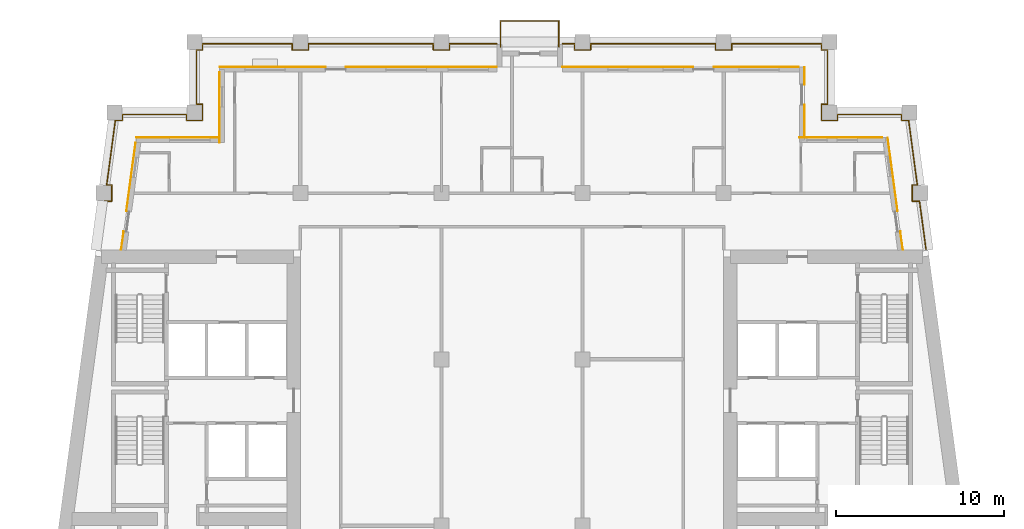
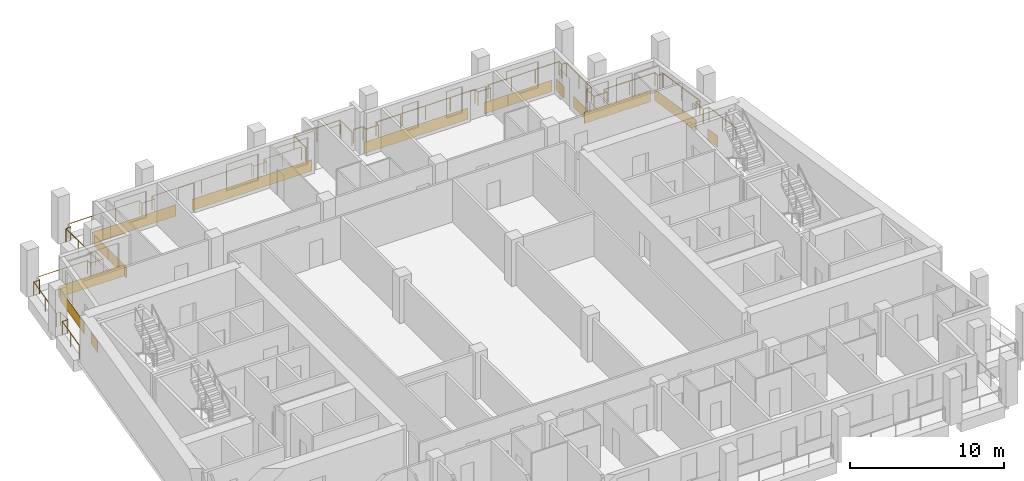
# One storey, part 12 of 13: 15 coverings, 3 railings.
"""IFC4 building model written with IfcOpenShell, lengths in metres."""

from ifc_helpers import new_model, si_unit, direction, frame, origin, origin_2d, place, context, subcontext, project, spatial, rectangle, circle, extrude, material, layer, layer_set, type_object, element, save


model = new_model("IFC4")

# Units and contexts
model_context = context("Model", 3, precision=1e-05, world=origin(), true_north=direction((0.0, 1.0)))
body_context = subcontext(model_context, "Body", "Model", "MODEL_VIEW")
ifc_project = project(units=[si_unit("LENGTHUNIT", "METRE"), si_unit("AREAUNIT", "SQUARE_METRE"), si_unit("VOLUMEUNIT", "CUBIC_METRE"), si_unit("PLANEANGLEUNIT", "RADIAN"), si_unit("MASSUNIT", "GRAM", prefix="KILO")], contexts=[model_context])

# Site, building, storey
site_placement = place(None, origin())
site = spatial("IfcSite", under=ifc_project, at=site_placement, CompositionType="ELEMENT")
building_placement = place(site_placement, origin())
building = spatial("IfcBuilding", under=site, at=building_placement, Name="Candeia Pilgrim Tower and Theatre", CompositionType="ELEMENT")
storey_placement = place(building_placement, frame((0.0, 0.0, 220.699951171875)))
storey = spatial("IfcBuildingStorey", under=building, at=storey_placement, Name="L53", CompositionType="ELEMENT", Elevation=220.699951171875)

# Railings
ifc_material_1 = material(Name="Stainless steel balustrade", Category="steel")
railing_type = type_object("IfcRailingType", Name="G1 loggia guard 1100", PredefinedType="GUARDRAIL", material=ifc_material_1)
railing_1_placement = place(storey_placement, frame((88.758544921875, 132.449951171875, 0.0)))
element("IfcRailing", 1, at=railing_1_placement, inside=storey, type_object=railing_type, Name="Guard L53.2", PredefinedType="GUARDRAIL", context=body_context, shape_type="SweptSolid", body=[
    extrude(circle(Radius=0.02392578125, at=origin_2d()), frame((0.0, 0.0, 1.076171875), z_axis=(0.133450228179, 0.991055516406, 0.0), x_axis=(-0.991055516406, 0.133450228179, 0.0)), (0.0, 0.0, 1.0), 2.89599609375),
    extrude(circle(Radius=0.02392578125, at=origin_2d()), frame((0.386474609375, 2.8701171875, 1.076171875), z_axis=(1.0, 0.0, 0.0), x_axis=(0.0, 1.0, 0.0)), (0.0, 0.0, 1.0), 0.42333984375),
    extrude(circle(Radius=0.02392578125, at=origin_2d()), frame((0.809814453125, 2.8701171875, 1.076171875), z_axis=(0.0, 1.0, 0.0), x_axis=(-1.0, 0.0, 0.0)), (0.0, 0.0, 1.0), 0.9599609375),
    extrude(circle(Radius=0.02392578125, at=origin_2d()), frame((0.809814453125, 3.830078125, 1.076171875), z_axis=(-1.0, 0.0, 0.0), x_axis=(0.0, -1.0, 0.0)), (0.0, 0.0, 1.0), 0.294189453125),
    extrude(circle(Radius=0.02392578125, at=origin_2d()), frame((0.515625, 3.830078125, 1.076171875), z_axis=(0.133389399471, 0.991063705374, 0.0), x_axis=(-0.991063705374, 0.133389399471, 0.0)), (0.0, 0.0, 1.0), 3.874755859375),
    extrude(circle(Radius=0.02392578125, at=origin_2d()), frame((1.032470703125, 7.670166015625, 1.076171875), z_axis=(1.0, 0.0, 0.0), x_axis=(0.0, 1.0, 0.0)), (0.0, 0.0, 1.0), 0.423583984375),
    extrude(circle(Radius=0.02392578125, at=origin_2d()), frame((1.4560546875, 7.670166015625, 1.076171875), z_axis=(0.0, 1.0, 0.0), x_axis=(-1.0, 0.0, 0.0)), (0.0, 0.0, 1.0), 0.35986328125),
    extrude(circle(Radius=0.02392578125, at=origin_2d()), frame((1.4560546875, 8.030029296875, 1.076171875), z_axis=(1.0, 0.0, 0.0), x_axis=(0.0, 1.0, 0.0)), (0.0, 0.0, 1.0), 3.805419921875),
    extrude(circle(Radius=0.02392578125, at=origin_2d()), frame((5.261474609375, 8.030029296875, 1.076171875), z_axis=(0.0, -1.0, 0.0), x_axis=(1.0, 0.0, 0.0)), (0.0, 0.0, 1.0), 0.35986328125),
    extrude(circle(Radius=0.02392578125, at=origin_2d()), frame((5.261474609375, 7.670166015625, 1.076171875), z_axis=(1.0, 0.0, 0.0), x_axis=(0.0, 1.0, 0.0)), (0.0, 0.0, 1.0), 0.9599609375),
    extrude(circle(Radius=0.02392578125, at=origin_2d()), frame((6.221435546875, 7.670166015625, 1.076171875), z_axis=(0.0, 1.0, 0.0), x_axis=(-1.0, 0.0, 0.0)), (0.0, 0.0, 1.0), 0.9599609375),
    extrude(circle(Radius=0.02392578125, at=origin_2d()), frame((6.221435546875, 8.630126953125, 1.076171875), z_axis=(-1.0, 0.0, 0.0), x_axis=(0.0, -1.0, 0.0)), (0.0, 0.0, 1.0), 0.35986328125),
    extrude(circle(Radius=0.02392578125, at=origin_2d()), frame((5.861572265625, 8.630126953125, 1.076171875), z_axis=(0.0, 1.0, 0.0), x_axis=(-1.0, 0.0, 0.0)), (0.0, 0.0, 1.0), 3.239990234375),
    extrude(circle(Radius=0.02392578125, at=origin_2d()), frame((5.861572265625, 11.8701171875, 1.076171875), z_axis=(1.0, 0.0, 0.0), x_axis=(0.0, 1.0, 0.0)), (0.0, 0.0, 1.0), 0.35986328125),
    extrude(circle(Radius=0.02392578125, at=origin_2d()), frame((6.221435546875, 11.8701171875, 1.076171875), z_axis=(0.0, 1.0, 0.0), x_axis=(-1.0, 0.0, 0.0)), (0.0, 0.0, 1.0), 0.35986328125),
    extrude(circle(Radius=0.02392578125, at=origin_2d()), frame((6.221435546875, 12.22998046875, 1.076171875), z_axis=(1.0, 0.0, 0.0), x_axis=(0.0, 1.0, 0.0)), (0.0, 0.0, 1.0), 5.340087890625),
    extrude(circle(Radius=0.02392578125, at=origin_2d()), frame((11.5615234375, 12.22998046875, 1.076171875), z_axis=(0.0, -1.0, 0.0), x_axis=(1.0, 0.0, 0.0)), (0.0, 0.0, 1.0), 0.35986328125),
    extrude(circle(Radius=0.02392578125, at=origin_2d()), frame((11.5615234375, 11.8701171875, 1.076171875), z_axis=(1.0, 0.0, 0.0), x_axis=(0.0, 1.0, 0.0)), (0.0, 0.0, 1.0), 0.9599609375),
    extrude(circle(Radius=0.02392578125, at=origin_2d()), frame((12.521484375, 11.8701171875, 1.076171875), z_axis=(0.0, 1.0, 0.0), x_axis=(-1.0, 0.0, 0.0)), (0.0, 0.0, 1.0), 0.35986328125),
    extrude(circle(Radius=0.02392578125, at=origin_2d()), frame((12.521484375, 12.22998046875, 1.076171875), z_axis=(1.0, 0.0, 0.0), x_axis=(0.0, 1.0, 0.0)), (0.0, 0.0, 1.0), 7.43994140625),
    extrude(circle(Radius=0.02392578125, at=origin_2d()), frame((19.96142578125, 12.22998046875, 1.076171875), z_axis=(0.0, -1.0, 0.0), x_axis=(1.0, 0.0, 0.0)), (0.0, 0.0, 1.0), 0.35986328125),
    extrude(circle(Radius=0.02392578125, at=origin_2d()), frame((19.96142578125, 11.8701171875, 1.076171875), z_axis=(1.0, 0.0, 0.0), x_axis=(0.0, 1.0, 0.0)), (0.0, 0.0, 1.0), 0.9599609375),
    extrude(circle(Radius=0.02392578125, at=origin_2d()), frame((20.92138671875, 11.8701171875, 1.076171875), z_axis=(0.0, 1.0, 0.0), x_axis=(-1.0, 0.0, 0.0)), (0.0, 0.0, 1.0), 0.35986328125),
    extrude(circle(Radius=0.02392578125, at=origin_2d()), frame((20.92138671875, 12.22998046875, 1.076171875), z_axis=(1.0, 0.0, 0.0), x_axis=(0.0, 1.0, 0.0)), (0.0, 0.0, 1.0), 2.820068359375),
    extrude(circle(Radius=0.02099609375, at=origin_2d()), origin(), (0.0, 0.0, 1.0), 1.052001953125),
    extrude(circle(Radius=0.02099609375, at=origin_2d()), frame((0.193359375, 1.43505859375, 0.0)), (0.0, 0.0, 1.0), 1.052001953125),
    extrude(circle(Radius=0.02099609375, at=origin_2d()), frame((0.386474609375, 2.8701171875, 0.0)), (0.0, 0.0, 1.0), 1.052001953125),
    extrude(circle(Radius=0.02099609375, at=origin_2d()), frame((0.809814453125, 2.8701171875, 0.0)), (0.0, 0.0, 1.0), 1.052001953125),
    extrude(circle(Radius=0.02099609375, at=origin_2d()), frame((0.809814453125, 3.830078125, 0.0)), (0.0, 0.0, 1.0), 1.052001953125),
    extrude(circle(Radius=0.02099609375, at=origin_2d()), frame((0.515625, 3.830078125, 0.0)), (0.0, 0.0, 1.0), 1.052001953125),
    extrude(circle(Radius=0.02099609375, at=origin_2d()), frame((0.77392578125, 5.75, 0.0)), (0.0, 0.0, 1.0), 1.052001953125),
    extrude(circle(Radius=0.02099609375, at=origin_2d()), frame((1.032470703125, 7.670166015625, 0.0)), (0.0, 0.0, 1.0), 1.052001953125),
    extrude(circle(Radius=0.02099609375, at=origin_2d()), frame((1.4560546875, 7.670166015625, 0.0)), (0.0, 0.0, 1.0), 1.052001953125),
    extrude(circle(Radius=0.02099609375, at=origin_2d()), frame((1.4560546875, 8.030029296875, 0.0)), (0.0, 0.0, 1.0), 1.052001953125),
    extrude(circle(Radius=0.02099609375, at=origin_2d()), frame((3.35888671875, 8.030029296875, 0.0)), (0.0, 0.0, 1.0), 1.052001953125),
    extrude(circle(Radius=0.02099609375, at=origin_2d()), frame((5.261474609375, 8.030029296875, 0.0)), (0.0, 0.0, 1.0), 1.052001953125),
    extrude(circle(Radius=0.02099609375, at=origin_2d()), frame((5.261474609375, 7.670166015625, 0.0)), (0.0, 0.0, 1.0), 1.052001953125),
    extrude(circle(Radius=0.02099609375, at=origin_2d()), frame((6.221435546875, 7.670166015625, 0.0)), (0.0, 0.0, 1.0), 1.052001953125),
    extrude(circle(Radius=0.02099609375, at=origin_2d()), frame((6.221435546875, 8.630126953125, 0.0)), (0.0, 0.0, 1.0), 1.052001953125),
    extrude(circle(Radius=0.02099609375, at=origin_2d()), frame((5.861572265625, 8.630126953125, 0.0)), (0.0, 0.0, 1.0), 1.052001953125),
    extrude(circle(Radius=0.02099609375, at=origin_2d()), frame((5.861572265625, 10.25, 0.0)), (0.0, 0.0, 1.0), 1.052001953125),
    extrude(circle(Radius=0.02099609375, at=origin_2d()), frame((5.861572265625, 11.8701171875, 0.0)), (0.0, 0.0, 1.0), 1.052001953125),
    extrude(circle(Radius=0.02099609375, at=origin_2d()), frame((6.221435546875, 11.8701171875, 0.0)), (0.0, 0.0, 1.0), 1.052001953125),
    extrude(circle(Radius=0.02099609375, at=origin_2d()), frame((6.221435546875, 12.22998046875, 0.0)), (0.0, 0.0, 1.0), 1.052001953125),
    extrude(circle(Radius=0.02099609375, at=origin_2d()), frame((8.00146484375, 12.22998046875, 0.0)), (0.0, 0.0, 1.0), 1.052001953125),
    extrude(circle(Radius=0.02099609375, at=origin_2d()), frame((9.781494140625, 12.22998046875, 0.0)), (0.0, 0.0, 1.0), 1.052001953125),
    extrude(circle(Radius=0.02099609375, at=origin_2d()), frame((11.5615234375, 12.22998046875, 0.0)), (0.0, 0.0, 1.0), 1.052001953125),
    extrude(circle(Radius=0.02099609375, at=origin_2d()), frame((11.5615234375, 11.8701171875, 0.0)), (0.0, 0.0, 1.0), 1.052001953125),
    extrude(circle(Radius=0.02099609375, at=origin_2d()), frame((12.521484375, 11.8701171875, 0.0)), (0.0, 0.0, 1.0), 1.052001953125),
    extrude(circle(Radius=0.02099609375, at=origin_2d()), frame((12.521484375, 12.22998046875, 0.0)), (0.0, 0.0, 1.0), 1.052001953125),
    extrude(circle(Radius=0.02099609375, at=origin_2d()), frame((14.38134765625, 12.22998046875, 0.0)), (0.0, 0.0, 1.0), 1.052001953125),
    extrude(circle(Radius=0.02099609375, at=origin_2d()), frame((16.241455078125, 12.22998046875, 0.0)), (0.0, 0.0, 1.0), 1.052001953125),
    extrude(circle(Radius=0.02099609375, at=origin_2d()), frame((18.1015625, 12.22998046875, 0.0)), (0.0, 0.0, 1.0), 1.052001953125),
    extrude(circle(Radius=0.02099609375, at=origin_2d()), frame((19.96142578125, 12.22998046875, 0.0)), (0.0, 0.0, 1.0), 1.052001953125),
    extrude(circle(Radius=0.02099609375, at=origin_2d()), frame((19.96142578125, 11.8701171875, 0.0)), (0.0, 0.0, 1.0), 1.052001953125),
    extrude(circle(Radius=0.02099609375, at=origin_2d()), frame((20.92138671875, 11.8701171875, 0.0)), (0.0, 0.0, 1.0), 1.052001953125),
    extrude(circle(Radius=0.02099609375, at=origin_2d()), frame((20.92138671875, 12.22998046875, 0.0)), (0.0, 0.0, 1.0), 1.052001953125),
    extrude(circle(Radius=0.02099609375, at=origin_2d()), frame((22.33154296875, 12.22998046875, 0.0)), (0.0, 0.0, 1.0), 1.052001953125),
    extrude(circle(Radius=0.02099609375, at=origin_2d()), frame((23.741455078125, 12.22998046875, 0.0)), (0.0, 0.0, 1.0), 1.052001953125),
])
railing_2_placement = place(storey_placement, frame((116.39990234375, 144.679931640625, 0.0)))
element("IfcRailing", 2, at=railing_2_placement, inside=storey, type_object=railing_type, Name="Guard L53.3", PredefinedType="GUARDRAIL", context=body_context, shape_type="SweptSolid", body=[
    extrude(circle(Radius=0.02392578125, at=origin_2d()), frame((0.0, 0.0, 1.076171875), z_axis=(1.0, 0.0, 0.0), x_axis=(0.0, 1.0, 0.0)), (0.0, 0.0, 1.0), 0.72021484375),
    extrude(circle(Radius=0.02392578125, at=origin_2d()), frame((0.72021484375, 0.0, 1.076171875), z_axis=(0.0, -1.0, 0.0), x_axis=(1.0, 0.0, 0.0)), (0.0, 0.0, 1.0), 0.35986328125),
    extrude(circle(Radius=0.02392578125, at=origin_2d()), frame((0.72021484375, -0.35986328125, 1.076171875), z_axis=(1.0, 0.0, 0.0), x_axis=(0.0, 1.0, 0.0)), (0.0, 0.0, 1.0), 0.9599609375),
    extrude(circle(Radius=0.02392578125, at=origin_2d()), frame((1.68017578125, -0.35986328125, 1.076171875), z_axis=(0.0, 1.0, 0.0), x_axis=(-1.0, 0.0, 0.0)), (0.0, 0.0, 1.0), 0.35986328125),
    extrude(circle(Radius=0.02392578125, at=origin_2d()), frame((1.68017578125, 0.0, 1.076171875), z_axis=(1.0, 0.0, 0.0), x_axis=(0.0, 1.0, 0.0)), (0.0, 0.0, 1.0), 7.43994140625),
    extrude(circle(Radius=0.02392578125, at=origin_2d()), frame((9.1201171875, 0.0, 1.076171875), z_axis=(0.0, -1.0, 0.0), x_axis=(1.0, 0.0, 0.0)), (0.0, 0.0, 1.0), 0.35986328125),
    extrude(circle(Radius=0.02392578125, at=origin_2d()), frame((9.1201171875, -0.35986328125, 1.076171875), z_axis=(1.0, 0.0, 0.0), x_axis=(0.0, 1.0, 0.0)), (0.0, 0.0, 1.0), 0.9599609375),
    extrude(circle(Radius=0.02392578125, at=origin_2d()), frame((10.080078125, -0.35986328125, 1.076171875), z_axis=(0.0, 1.0, 0.0), x_axis=(-1.0, 0.0, 0.0)), (0.0, 0.0, 1.0), 0.35986328125),
    extrude(circle(Radius=0.02392578125, at=origin_2d()), frame((10.080078125, 0.0, 1.076171875), z_axis=(1.0, 0.0, 0.0), x_axis=(0.0, 1.0, 0.0)), (0.0, 0.0, 1.0), 5.340087890625),
    extrude(circle(Radius=0.02392578125, at=origin_2d()), frame((15.420166015625, 0.0, 1.076171875), z_axis=(0.0, -1.0, 0.0), x_axis=(1.0, 0.0, 0.0)), (0.0, 0.0, 1.0), 0.35986328125),
    extrude(circle(Radius=0.02392578125, at=origin_2d()), frame((15.420166015625, -0.35986328125, 1.076171875), z_axis=(1.0, 0.0, 0.0), x_axis=(0.0, 1.0, 0.0)), (0.0, 0.0, 1.0), 0.35986328125),
    extrude(circle(Radius=0.02392578125, at=origin_2d()), frame((15.780029296875, -0.35986328125, 1.076171875), z_axis=(0.0, -1.0, 0.0), x_axis=(1.0, 0.0, 0.0)), (0.0, 0.0, 1.0), 3.239990234375),
    extrude(circle(Radius=0.02392578125, at=origin_2d()), frame((15.780029296875, -3.599853515625, 1.076171875), z_axis=(-1.0, 0.0, 0.0), x_axis=(0.0, -1.0, 0.0)), (0.0, 0.0, 1.0), 0.35986328125),
    extrude(circle(Radius=0.02392578125, at=origin_2d()), frame((15.420166015625, -3.599853515625, 1.076171875), z_axis=(0.0, -1.0, 0.0), x_axis=(1.0, 0.0, 0.0)), (0.0, 0.0, 1.0), 0.9599609375),
    extrude(circle(Radius=0.02392578125, at=origin_2d()), frame((15.420166015625, -4.559814453125, 1.076171875), z_axis=(1.0, 0.0, 0.0), x_axis=(0.0, 1.0, 0.0)), (0.0, 0.0, 1.0), 0.9599609375),
    extrude(circle(Radius=0.02392578125, at=origin_2d()), frame((16.380126953125, -4.559814453125, 1.076171875), z_axis=(0.0, 1.0, 0.0), x_axis=(-1.0, 0.0, 0.0)), (0.0, 0.0, 1.0), 0.35986328125),
    extrude(circle(Radius=0.02392578125, at=origin_2d()), frame((16.380126953125, -4.199951171875, 1.076171875), z_axis=(1.0, 0.0, 0.0), x_axis=(0.0, 1.0, 0.0)), (0.0, 0.0, 1.0), 3.805419921875),
    extrude(circle(Radius=0.02392578125, at=origin_2d()), frame((20.185546875, -4.199951171875, 1.076171875), z_axis=(0.0, -1.0, 0.0), x_axis=(1.0, 0.0, 0.0)), (0.0, 0.0, 1.0), 0.35986328125),
    extrude(circle(Radius=0.02392578125, at=origin_2d()), frame((20.185546875, -4.559814453125, 1.076171875), z_axis=(1.0, 0.0, 0.0), x_axis=(0.0, 1.0, 0.0)), (0.0, 0.0, 1.0), 0.423583984375),
    extrude(circle(Radius=0.02392578125, at=origin_2d()), frame((20.609130859375, -4.559814453125, 1.076171875), z_axis=(0.133389399471, -0.991063705374, 0.0), x_axis=(0.991063705374, 0.133389399471, 0.0)), (0.0, 0.0, 1.0), 3.874755859375),
    extrude(circle(Radius=0.02392578125, at=origin_2d()), frame((21.1259765625, -8.39990234375, 1.076171875), z_axis=(-1.0, 0.0, 0.0), x_axis=(0.0, -1.0, 0.0)), (0.0, 0.0, 1.0), 0.29443359375),
    extrude(circle(Radius=0.02392578125, at=origin_2d()), frame((20.83154296875, -8.39990234375, 1.076171875), z_axis=(0.0, -1.0, 0.0), x_axis=(1.0, 0.0, 0.0)), (0.0, 0.0, 1.0), 0.9599609375),
    extrude(circle(Radius=0.02392578125, at=origin_2d()), frame((20.83154296875, -9.35986328125, 1.076171875), z_axis=(1.0, 0.0, 0.0), x_axis=(0.0, 1.0, 0.0)), (0.0, 0.0, 1.0), 0.423583984375),
    extrude(circle(Radius=0.02392578125, at=origin_2d()), frame((21.255126953125, -9.35986328125, 1.076171875), z_axis=(0.133450228179, -0.991055516406, 0.0), x_axis=(0.991055516406, 0.133450228179, 0.0)), (0.0, 0.0, 1.0), 2.89599609375),
    extrude(circle(Radius=0.02099609375, at=origin_2d()), origin(), (0.0, 0.0, 1.0), 1.052001953125),
    extrude(circle(Radius=0.02099609375, at=origin_2d()), frame((0.72021484375, 0.0, 0.0)), (0.0, 0.0, 1.0), 1.052001953125),
    extrude(circle(Radius=0.02099609375, at=origin_2d()), frame((0.72021484375, -0.35986328125, 0.0)), (0.0, 0.0, 1.0), 1.052001953125),
    extrude(circle(Radius=0.02099609375, at=origin_2d()), frame((1.68017578125, -0.35986328125, 0.0)), (0.0, 0.0, 1.0), 1.052001953125),
    extrude(circle(Radius=0.02099609375, at=origin_2d()), frame((1.68017578125, 0.0, 0.0)), (0.0, 0.0, 1.0), 1.052001953125),
    extrude(circle(Radius=0.02099609375, at=origin_2d()), frame((3.5400390625, 0.0, 0.0)), (0.0, 0.0, 1.0), 1.052001953125),
    extrude(circle(Radius=0.02099609375, at=origin_2d()), frame((5.400146484375, 0.0, 0.0)), (0.0, 0.0, 1.0), 1.052001953125),
    extrude(circle(Radius=0.02099609375, at=origin_2d()), frame((7.26025390625, 0.0, 0.0)), (0.0, 0.0, 1.0), 1.052001953125),
    extrude(circle(Radius=0.02099609375, at=origin_2d()), frame((9.1201171875, 0.0, 0.0)), (0.0, 0.0, 1.0), 1.052001953125),
    extrude(circle(Radius=0.02099609375, at=origin_2d()), frame((9.1201171875, -0.35986328125, 0.0)), (0.0, 0.0, 1.0), 1.052001953125),
    extrude(circle(Radius=0.02099609375, at=origin_2d()), frame((10.080078125, -0.35986328125, 0.0)), (0.0, 0.0, 1.0), 1.052001953125),
    extrude(circle(Radius=0.02099609375, at=origin_2d()), frame((10.080078125, 0.0, 0.0)), (0.0, 0.0, 1.0), 1.052001953125),
    extrude(circle(Radius=0.02099609375, at=origin_2d()), frame((11.860107421875, 0.0, 0.0)), (0.0, 0.0, 1.0), 1.052001953125),
    extrude(circle(Radius=0.02099609375, at=origin_2d()), frame((13.64013671875, 0.0, 0.0)), (0.0, 0.0, 1.0), 1.052001953125),
    extrude(circle(Radius=0.02099609375, at=origin_2d()), frame((15.420166015625, 0.0, 0.0)), (0.0, 0.0, 1.0), 1.052001953125),
    extrude(circle(Radius=0.02099609375, at=origin_2d()), frame((15.420166015625, -0.35986328125, 0.0)), (0.0, 0.0, 1.0), 1.052001953125),
    extrude(circle(Radius=0.02099609375, at=origin_2d()), frame((15.780029296875, -0.35986328125, 0.0)), (0.0, 0.0, 1.0), 1.052001953125),
    extrude(circle(Radius=0.02099609375, at=origin_2d()), frame((15.780029296875, -1.97998046875, 0.0)), (0.0, 0.0, 1.0), 1.052001953125),
    extrude(circle(Radius=0.02099609375, at=origin_2d()), frame((15.780029296875, -3.599853515625, 0.0)), (0.0, 0.0, 1.0), 1.052001953125),
    extrude(circle(Radius=0.02099609375, at=origin_2d()), frame((15.420166015625, -3.599853515625, 0.0)), (0.0, 0.0, 1.0), 1.052001953125),
    extrude(circle(Radius=0.02099609375, at=origin_2d()), frame((15.420166015625, -4.559814453125, 0.0)), (0.0, 0.0, 1.0), 1.052001953125),
    extrude(circle(Radius=0.02099609375, at=origin_2d()), frame((16.380126953125, -4.559814453125, 0.0)), (0.0, 0.0, 1.0), 1.052001953125),
    extrude(circle(Radius=0.02099609375, at=origin_2d()), frame((16.380126953125, -4.199951171875, 0.0)), (0.0, 0.0, 1.0), 1.052001953125),
    extrude(circle(Radius=0.02099609375, at=origin_2d()), frame((18.28271484375, -4.199951171875, 0.0)), (0.0, 0.0, 1.0), 1.052001953125),
    extrude(circle(Radius=0.02099609375, at=origin_2d()), frame((20.185546875, -4.199951171875, 0.0)), (0.0, 0.0, 1.0), 1.052001953125),
    extrude(circle(Radius=0.02099609375, at=origin_2d()), frame((20.185546875, -4.559814453125, 0.0)), (0.0, 0.0, 1.0), 1.052001953125),
    extrude(circle(Radius=0.02099609375, at=origin_2d()), frame((20.609130859375, -4.559814453125, 0.0)), (0.0, 0.0, 1.0), 1.052001953125),
    extrude(circle(Radius=0.02099609375, at=origin_2d()), frame((20.86767578125, -6.47998046875, 0.0)), (0.0, 0.0, 1.0), 1.052001953125),
    extrude(circle(Radius=0.02099609375, at=origin_2d()), frame((21.1259765625, -8.39990234375, 0.0)), (0.0, 0.0, 1.0), 1.052001953125),
    extrude(circle(Radius=0.02099609375, at=origin_2d()), frame((20.83154296875, -8.39990234375, 0.0)), (0.0, 0.0, 1.0), 1.052001953125),
    extrude(circle(Radius=0.02099609375, at=origin_2d()), frame((20.83154296875, -9.35986328125, 0.0)), (0.0, 0.0, 1.0), 1.052001953125),
    extrude(circle(Radius=0.02099609375, at=origin_2d()), frame((21.255126953125, -9.35986328125, 0.0)), (0.0, 0.0, 1.0), 1.052001953125),
    extrude(circle(Radius=0.02099609375, at=origin_2d()), frame((21.4482421875, -10.794921875, 0.0)), (0.0, 0.0, 1.0), 1.052001953125),
    extrude(circle(Radius=0.02099609375, at=origin_2d()), frame((21.6416015625, -12.22998046875, 0.0)), (0.0, 0.0, 1.0), 1.052001953125),
])
railing_3_placement = place(storey_placement, frame((112.7099609375, 144.5, 0.0)))
element("IfcRailing", 3, at=railing_3_placement, inside=storey, type_object=railing_type, Name="Balcony guard L53", PredefinedType="GUARDRAIL", context=body_context, shape_type="SweptSolid", body=[
    extrude(circle(Radius=0.02392578125, at=origin_2d()), frame((0.0, 0.0, 1.076171875), z_axis=(0.0, 1.0, 0.0), x_axis=(-1.0, 0.0, 0.0)), (0.0, 0.0, 1.0), 1.5400390625),
    extrude(circle(Radius=0.02392578125, at=origin_2d()), frame((0.0, 1.5400390625, 1.076171875), z_axis=(1.0, 0.0, 0.0), x_axis=(0.0, 1.0, 0.0)), (0.0, 0.0, 1.0), 3.47998046875),
    extrude(circle(Radius=0.02392578125, at=origin_2d()), frame((3.47998046875, 1.5400390625, 1.076171875), z_axis=(0.0, -1.0, 0.0), x_axis=(1.0, 0.0, 0.0)), (0.0, 0.0, 1.0), 1.5400390625),
    extrude(circle(Radius=0.02099609375, at=origin_2d()), origin(), (0.0, 0.0, 1.0), 1.052001953125),
    extrude(circle(Radius=0.02099609375, at=origin_2d()), frame((0.0, 1.5400390625, 0.0)), (0.0, 0.0, 1.0), 1.052001953125),
    extrude(circle(Radius=0.02099609375, at=origin_2d()), frame((1.739990234375, 1.5400390625, 0.0)), (0.0, 0.0, 1.0), 1.052001953125),
    extrude(circle(Radius=0.02099609375, at=origin_2d()), frame((3.47998046875, 1.5400390625, 0.0)), (0.0, 0.0, 1.0), 1.052001953125),
    extrude(circle(Radius=0.02099609375, at=origin_2d()), frame((3.47998046875, 0.0, 0.0)), (0.0, 0.0, 1.0), 1.052001953125),
])

# Coverings
ifc_material_2 = material(Name="Glazed ceramic tile bottle green")
ifc_layer_1 = layer(ifc_material_2, 0.02001953125)
ifc_layer_set_1 = layer_set([ifc_layer_1], Name="Glazed ceramic tile bottle green")
covering_type_1 = type_object("IfcCoveringType", Name="Glazed ceramic tile bottle green", PredefinedType="CLADDING", material=ifc_layer_set_1)
covering_1_placement = place(storey_placement, frame((136.588623046875, 132.97412109375, 0.0), z_axis=(0.0, 0.0, 1.0), x_axis=(-0.133412012145, 0.991060661622, 0.0)))
element("IfcCovering", 4, at=covering_1_placement, inside=storey, type_object=covering_type_1, Name="Tile cladding bottle green L53", PredefinedType="CLADDING", context=body_context, shape_type="SweptSolid", body=[
    extrude(rectangle(XDim=1.115234375, YDim=0.02001953125, at=origin_2d()), origin(), (0.0, 0.0, 1.0), 0.89990234375),
])
covering_2_placement = place(storey_placement, frame((136.058837890625, 136.90869140625, 0.0), z_axis=(0.0, 0.0, 1.0), x_axis=(-0.133412012145, 0.991060661622, 0.0)))
element("IfcCovering", 5, at=covering_2_placement, inside=storey, type_object=covering_type_1, Name="Tile cladding bottle green L53", PredefinedType="CLADDING", context=body_context, shape_type="SweptSolid", body=[
    extrude(rectangle(XDim=4.4248046875, YDim=0.02001953125, at=origin_2d()), origin(), (0.0, 0.0, 1.0), 0.89990234375),
])
covering_3_placement = place(storey_placement, frame((130.81005859375, 140.0849609375, 0.0), z_axis=(0.0, 0.0, 1.0), x_axis=(0.0, 1.0, 0.0)))
element("IfcCovering", 6, at=covering_3_placement, inside=storey, type_object=covering_type_1, Name="Tile cladding bottle green L53", PredefinedType="CLADDING", context=body_context, shape_type="SweptSolid", body=[
    extrude(rectangle(XDim=1.929931640625, YDim=0.02001953125, at=origin_2d()), origin(), (0.0, 0.0, 1.0), 0.89990234375),
])
covering_4_placement = place(storey_placement, frame((126.300048828125, 143.31005859375, 0.0), z_axis=(0.0, 0.0, 1.0), x_axis=(-1.0, 0.0, 0.0)))
element("IfcCovering", 7, at=covering_4_placement, inside=storey, type_object=covering_type_1, Name="Tile cladding bottle green L53", PredefinedType="CLADDING", context=body_context, shape_type="SweptSolid", body=[
    extrude(rectangle(XDim=1.800048828125, YDim=0.02001953125, at=origin_2d()), origin(), (0.0, 0.0, 1.0), 0.89990234375),
])
covering_5_placement = place(storey_placement, frame((120.300048828125, 143.31005859375, 0.0), z_axis=(0.0, 0.0, 1.0), x_axis=(-1.0, 0.0, 0.0)))
element("IfcCovering", 8, at=covering_5_placement, inside=storey, type_object=covering_type_1, Name="Tile cladding bottle green L53", PredefinedType="CLADDING", context=body_context, shape_type="SweptSolid", body=[
    extrude(rectangle(XDim=7.800048828125, YDim=0.02001953125, at=origin_2d()), origin(), (0.0, 0.0, 1.0), 0.89990234375),
])
covering_6_placement = place(storey_placement, frame((108.0, 143.31005859375, 0.0), z_axis=(0.0, 0.0, 1.0), x_axis=(-1.0, 0.0, 0.0)))
element("IfcCovering", 9, at=covering_6_placement, inside=storey, type_object=covering_type_1, Name="Tile cladding bottle green L53", PredefinedType="CLADDING", context=body_context, shape_type="SweptSolid", body=[
    extrude(rectangle(XDim=9.0, YDim=0.02001953125, at=origin_2d()), origin(), (0.0, 0.0, 1.0), 0.89990234375),
])
covering_7_placement = place(storey_placement, frame((99.14990234375, 143.31005859375, 0.0), z_axis=(0.0, 0.0, 1.0), x_axis=(-1.0, 0.0, 0.0)))
element("IfcCovering", 10, at=covering_7_placement, inside=storey, type_object=covering_type_1, Name="Tile cladding bottle green L53", PredefinedType="CLADDING", context=body_context, shape_type="SweptSolid", body=[
    extrude(rectangle(XDim=6.300048828125, YDim=0.02001953125, at=origin_2d()), origin(), (0.0, 0.0, 1.0), 0.89990234375),
])
covering_8_placement = place(storey_placement, frame((95.989990234375, 140.0, 0.0), z_axis=(0.0, 0.0, 1.0), x_axis=(0.0, -1.0, 0.0)))
element("IfcCovering", 11, at=covering_8_placement, inside=storey, type_object=covering_type_1, Name="Tile cladding bottle green L53", PredefinedType="CLADDING", context=body_context, shape_type="SweptSolid", body=[
    extrude(rectangle(XDim=2.39990234375, YDim=0.02001953125, at=origin_2d()), origin(), (0.0, 0.0, 1.0), 0.89990234375),
])
covering_9_placement = place(storey_placement, frame((93.51318359375, 139.110107421875, 0.0), z_axis=(0.0, 0.0, 1.0), x_axis=(-1.0, 0.0, 0.0)))
element("IfcCovering", 12, at=covering_9_placement, inside=storey, type_object=covering_type_1, Name="Tile cladding bottle green L53", PredefinedType="CLADDING", context=body_context, shape_type="SweptSolid", body=[
    extrude(rectangle(XDim=4.933837890625, YDim=0.02001953125, at=origin_2d()), origin(), (0.0, 0.0, 1.0), 0.89990234375),
])
covering_10_placement = place(storey_placement, frame((90.720947265625, 136.759521484375, 0.0), z_axis=(0.0, 0.0, 1.0), x_axis=(-0.133412012145, -0.991060661622, 0.0)))
element("IfcCovering", 13, at=covering_10_placement, inside=storey, type_object=covering_type_1, Name="Tile cladding bottle green L53", PredefinedType="CLADDING", context=body_context, shape_type="SweptSolid", body=[
    extrude(rectangle(XDim=4.123779296875, YDim=0.02001953125, at=origin_2d()), origin(), (0.0, 0.0, 1.0), 0.89990234375),
])
covering_11_placement = place(storey_placement, frame((90.21142578125, 132.97412109375, 0.0), z_axis=(0.0, 0.0, 1.0), x_axis=(-0.133412012145, -0.991060661622, 0.0)))
element("IfcCovering", 14, at=covering_11_placement, inside=storey, type_object=covering_type_1, Name="Tile cladding bottle green L53", PredefinedType="CLADDING", context=body_context, shape_type="SweptSolid", body=[
    extrude(rectangle(XDim=1.115234375, YDim=0.02001953125, at=origin_2d()), origin(), (0.0, 0.0, 1.0), 0.89990234375),
])
ifc_material_3 = material(Name="Glazed ceramic tile rust")
ifc_layer_2 = layer(ifc_material_3, 0.02001953125)
ifc_layer_set_2 = layer_set([ifc_layer_2], Name="Glazed ceramic tile rust")
covering_type_2 = type_object("IfcCoveringType", Name="Glazed ceramic tile rust", PredefinedType="CLADDING", material=ifc_layer_set_2)
covering_12_placement = place(storey_placement, frame((132.976318359375, 139.110107421875, 0.0), z_axis=(0.0, 0.0, 1.0), x_axis=(-1.0, 0.0, 0.0)))
element("IfcCovering", 15, at=covering_12_placement, inside=storey, type_object=covering_type_2, Name="Tile cladding rust L53", PredefinedType="CLADDING", context=body_context, shape_type="SweptSolid", body=[
    extrude(rectangle(XDim=4.95263671875, YDim=0.02001953125, at=origin_2d()), origin(), (0.0, 0.0, 1.0), 0.89990234375),
])
covering_13_placement = place(storey_placement, frame((130.81005859375, 142.77490234375, 0.0), z_axis=(0.0, 0.0, 1.0), x_axis=(0.0, 1.0, 0.0)))
element("IfcCovering", 16, at=covering_13_placement, inside=storey, type_object=covering_type_2, Name="Tile cladding rust L53", PredefinedType="CLADDING", context=body_context, shape_type="SweptSolid", body=[
    extrude(rectangle(XDim=1.050048828125, YDim=0.02001953125, at=origin_2d()), origin(), (0.0, 0.0, 1.0), 0.89990234375),
])
covering_14_placement = place(storey_placement, frame((128.840087890625, 143.31005859375, 0.0), z_axis=(0.0, 0.0, 1.0), x_axis=(-1.0, 0.0, 0.0)))
element("IfcCovering", 17, at=covering_14_placement, inside=storey, type_object=covering_type_2, Name="Tile cladding rust L53", PredefinedType="CLADDING", context=body_context, shape_type="SweptSolid", body=[
    extrude(rectangle(XDim=3.280029296875, YDim=0.02001953125, at=origin_2d()), origin(), (0.0, 0.0, 1.0), 0.89990234375),
])
covering_15_placement = place(storey_placement, frame((95.989990234375, 142.090087890625, 0.0), z_axis=(0.0, 0.0, 1.0), x_axis=(0.0, -1.0, 0.0)))
element("IfcCovering", 18, at=covering_15_placement, inside=storey, type_object=covering_type_2, Name="Tile cladding rust L53", PredefinedType="CLADDING", context=body_context, shape_type="SweptSolid", body=[
    extrude(rectangle(XDim=1.780029296875, YDim=0.02001953125, at=origin_2d()), origin(), (0.0, 0.0, 1.0), 0.89990234375),
])

save(model, "model.ifc")
